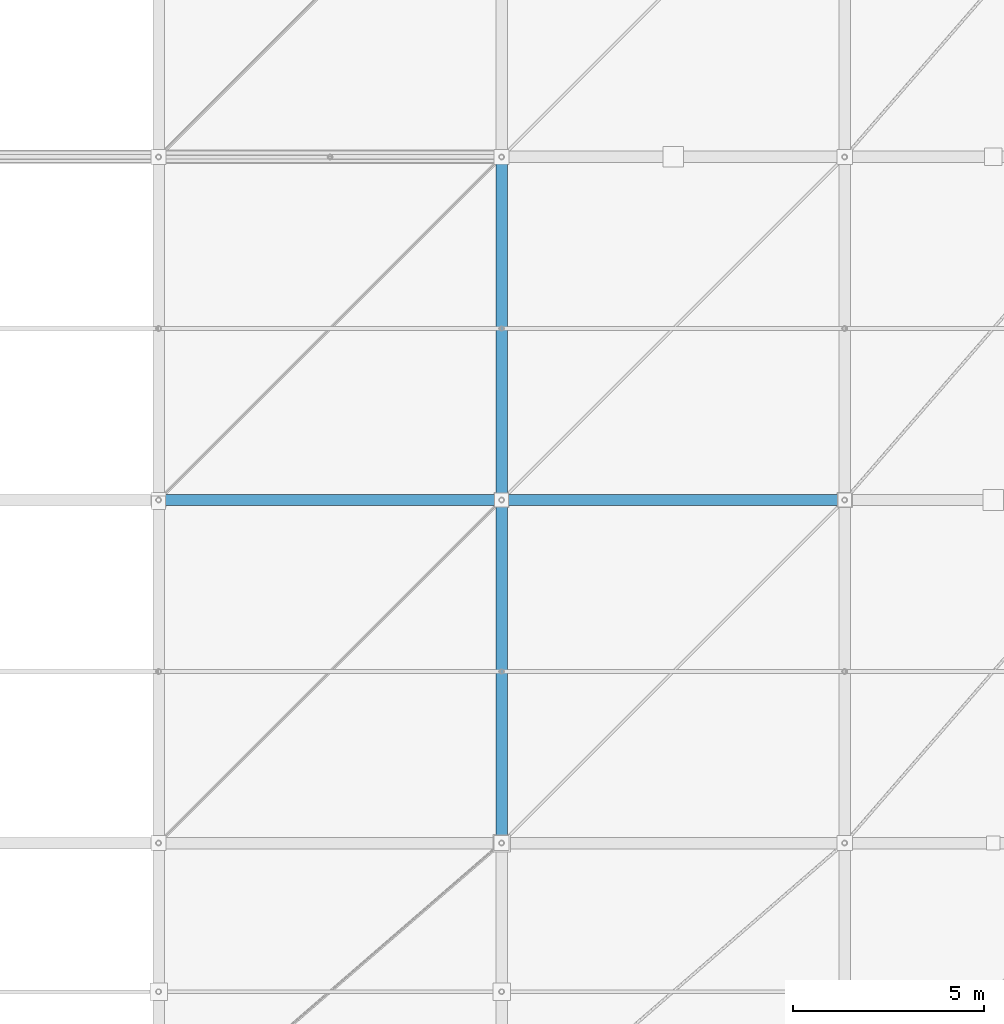
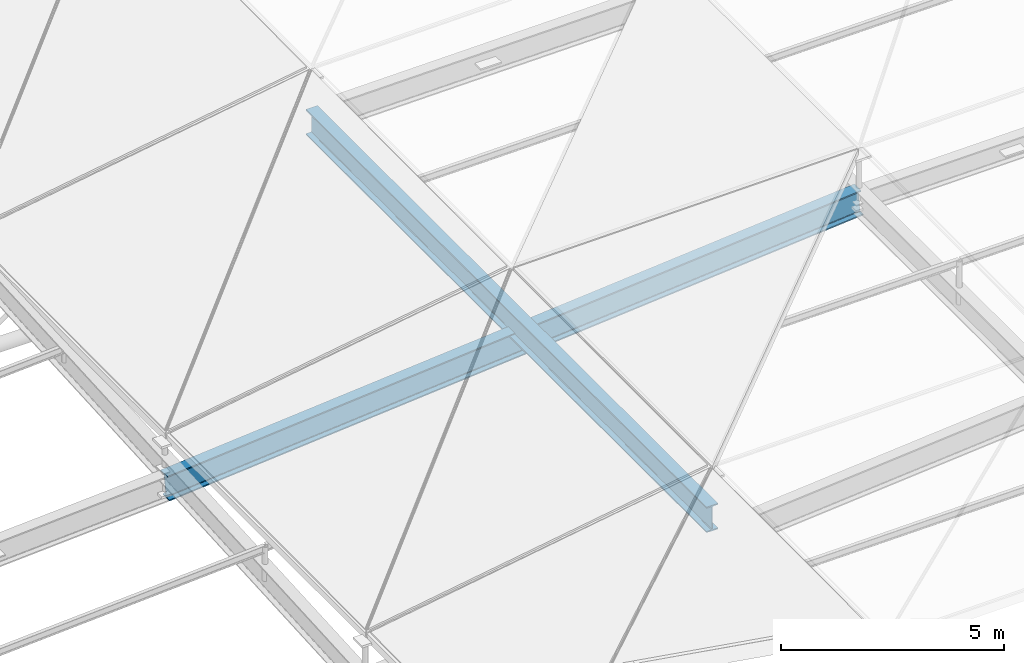
# One storey, part 22 of 80: 2 beams.
"""IFC4 building model written with IfcOpenShell, lengths in metres."""

from ifc_helpers import new_model, si_unit, direction, frame, origin, origin_2d, place, context, subcontext, project, spatial, i_section, extrude, material, material_profile, profile_set, type_object, element, save


model = new_model("IFC4")

# Units and contexts
model_context = context("Model", 3, precision=1e-05, world=origin(), true_north=direction((0.0, 1.0)))
body_context = subcontext(model_context, "Body", "Model", "MODEL_VIEW")
ifc_project = project(units=[si_unit("LENGTHUNIT", "METRE"), si_unit("AREAUNIT", "SQUARE_METRE"), si_unit("VOLUMEUNIT", "CUBIC_METRE"), si_unit("PLANEANGLEUNIT", "RADIAN"), si_unit("MASSUNIT", "GRAM", prefix="KILO")], contexts=[model_context])

# Site, building, storey
site_placement = place(None, origin())
site = spatial("IfcSite", under=ifc_project, at=site_placement, CompositionType="ELEMENT")
building_placement = place(site_placement, origin())
building = spatial("IfcBuilding", under=site, at=building_placement, Name="Barlavento Convention Centre", CompositionType="ELEMENT")
storey_placement = place(building_placement, frame((0.0, 0.0, 29.800048828125)))
storey = spatial("IfcBuildingStorey", under=building, at=storey_placement, Name="RF", CompositionType="ELEMENT", Elevation=29.800048828125)

# Beams
ifc_material = material(Name="Steel S460", Category="steel")
ifc_material_profile = material_profile(ifc_material, i_section(OverallWidth=0.300048828125, OverallDepth=0.699951171875, WebThickness=0.01708984375, FlangeThickness=0.031982421875, FilletRadius=0.027099609375, at=origin_2d()), Name="HEB 700")
ifc_profile_set = profile_set([ifc_material_profile], Name="Steel S460")
beam_type = type_object("IfcBeamType", Name="STR-BM-TRUSS-TOP-HEB700", PredefinedType="BEAM", material=ifc_profile_set)
beam_1_placement = place(storey_placement, frame((45.0048828125, 9.0, -1.25634765625), z_axis=(0.996341025885, 0.0, 0.085466719474), x_axis=(0.0, 1.0, 0.0)))
element("IfcBeam", 1, at=beam_1_placement, inside=storey, type_object=beam_type, Name="Congress roof truss space frame chord", PredefinedType="BEAM", context=body_context, shape_type="SweptSolid", body=[
    extrude(i_section(OverallWidth=0.300048828125, OverallDepth=0.699951171875, WebThickness=0.01708984375, FlangeThickness=0.031982421875, FilletRadius=0.027099609375, at=origin_2d()), origin(), (0.0, 0.0, 1.0), 18.056396484375),
])
beam_2_placement = place(storey_placement, frame((54.0, 0.0048828125, 0.15625), z_axis=(0.0, 1.0, 0.0), x_axis=(-1.0, 0.0, 0.0)))
element("IfcBeam", 2, at=beam_2_placement, inside=storey, type_object=beam_type, Name="Congress roof truss space frame chord", PredefinedType="BEAM", context=body_context, shape_type="SweptSolid", body=[
    extrude(i_section(OverallWidth=0.300048828125, OverallDepth=0.699951171875, WebThickness=0.01708984375, FlangeThickness=0.031982421875, FilletRadius=0.027099609375, at=origin_2d()), origin(), (0.0, 0.0, 1.0), 17.990234375),
])

save(model, "model.ifc")
